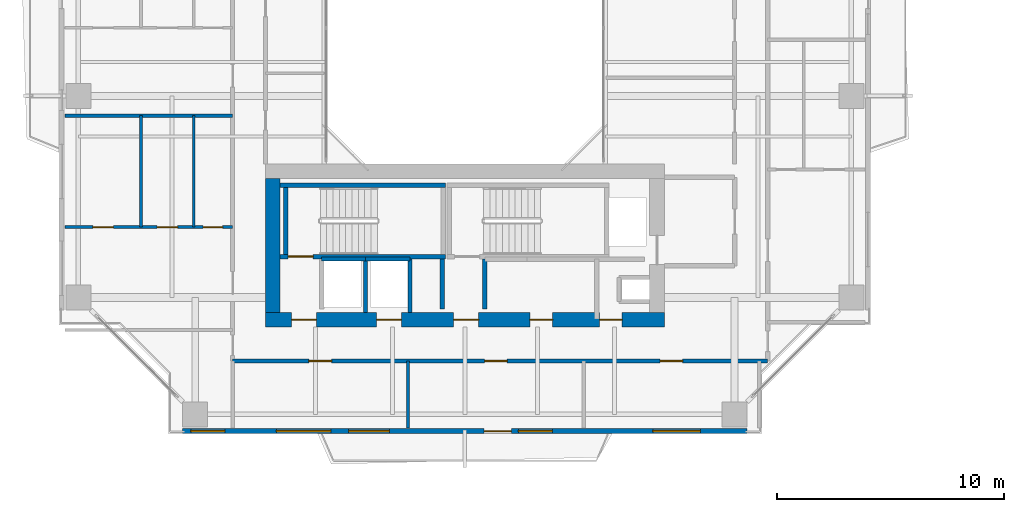
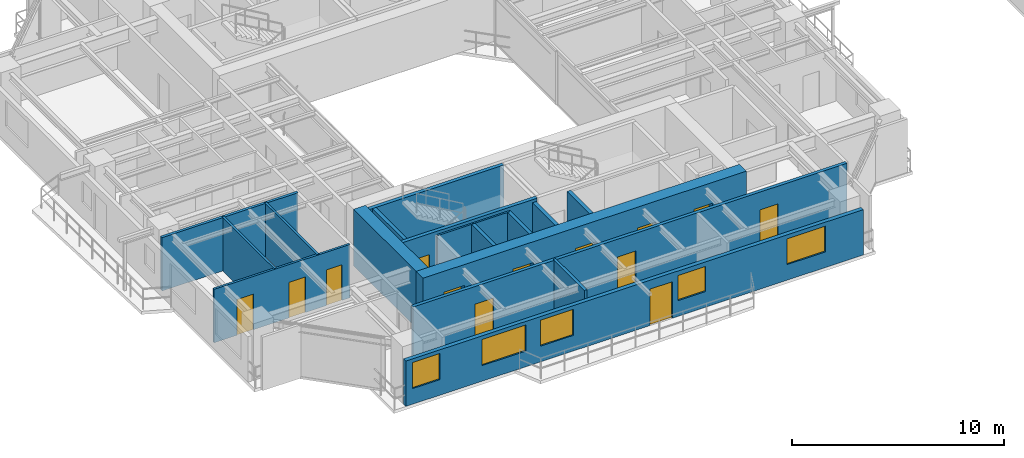
# One storey, part 14 of 24: 18 walls, 13 doors, 5 windows, 18 openings.
"""IFC4 building model written with IfcOpenShell, lengths in metres."""

from ifc_helpers import new_model, si_unit, direction, frame, frame_2d, origin, place, context, subcontext, project, spatial, rectangle, extrude, source, transform, mapped, material, layer, layer_set, type_object, element, fill, save


model = new_model("IFC4")

# Units and contexts
model_context = context("Model", 3, precision=1e-05, world=origin(), true_north=direction((0.0, 1.0)))
body_context = subcontext(model_context, "Body", "Model", "MODEL_VIEW")
ifc_project = project(units=[si_unit("LENGTHUNIT", "METRE"), si_unit("AREAUNIT", "SQUARE_METRE"), si_unit("VOLUMEUNIT", "CUBIC_METRE"), si_unit("PLANEANGLEUNIT", "RADIAN"), si_unit("MASSUNIT", "GRAM", prefix="KILO"), si_unit("THERMODYNAMICTEMPERATUREUNIT", "KELVIN"), si_unit("POWERUNIT", "WATT")], contexts=[model_context])

# Site, building, storey
site_placement = place(None, origin())
site = spatial("IfcSite", under=ifc_project, at=site_placement, CompositionType="ELEMENT")
building_placement = place(site_placement, origin())
building = spatial("IfcBuilding", under=site, at=building_placement, Name="Qiaomeng Ring Towers", CompositionType="ELEMENT")
storey_placement = place(building_placement, frame((0.0, 0.0, 106.75)))
storey = spatial("IfcBuildingStorey", under=building, at=storey_placement, Name="L30", CompositionType="ELEMENT", Elevation=106.75)

# Wall, openings, windows, door
ifc_material_1 = material(Name="Precast concrete C40", Category="concrete")
ifc_layer_1 = layer(ifc_material_1, 0.219970703125, Name="Precast concrete C40")
ifc_layer_set_1 = layer_set([ifc_layer_1], Name="Precast concrete C40")
wall_type_1 = type_object("IfcWallType", Name="ARC-WL-EW2", PredefinedType="STANDARD", material=ifc_layer_set_1)
wall_1_placement = place(storey_placement, frame((6.550048828125, 5.2099609375, 0.0), z_axis=(0.0, 0.0, 1.0), x_axis=(1.0, 0.0, 0.0)))
wall_1 = element("IfcWall", 1, at=wall_1_placement, inside=storey, type_object=wall_type_1, Name="L30 Tower 1 S Exterior Wall", PredefinedType="STANDARD", context=body_context, shape_type="SweptSolid", body=[
    extrude(rectangle(XDim=24.89990234375, YDim=0.219970703125, at=frame_2d((12.449951171875, 0.0))), origin(), (0.0, 0.0, 1.0), 2.610107421875),
])
opening_1_placement = place(wall_1_placement, frame((13.300048828125, 0.0, 0.0)))
opening_1 = element("IfcOpeningElement", 2, at=opening_1_placement, cuts=wall_1, Name="Opening BD1", PredefinedType="OPENING", context=body_context, shape_type="SweptSolid", body=[
    extrude(rectangle(XDim=1.199951171875, YDim=2.10009765625, at=frame_2d((0.60009765625, 1.050048828125))), frame((0.0, 0.119873046875, 0.0), z_axis=(0.0, -1.0, 0.0), x_axis=(1.0, 0.0, 0.0)), (0.0, 0.0, 1.0), 0.239990234375),
])
opening_2_placement = place(wall_1_placement, frame((0.357421875, 0.0, 0.89990234375)))
opening_2 = element("IfcOpeningElement", 3, at=opening_2_placement, cuts=wall_1, Name="Opening WN2", PredefinedType="OPENING", context=body_context, shape_type="SweptSolid", body=[
    extrude(rectangle(XDim=1.5, YDim=1.5, at=frame_2d((0.75, 0.75))), frame((0.0, 0.119873046875, 0.0), z_axis=(0.0, -1.0, 0.0), x_axis=(1.0, 0.0, 0.0)), (0.0, 0.0, 1.0), 0.239990234375),
])
opening_3_placement = place(wall_1_placement, frame((7.32080078125, 0.0, 0.89990234375)))
opening_3 = element("IfcOpeningElement", 4, at=opening_3_placement, cuts=wall_1, Name="Opening WN1", PredefinedType="OPENING", context=body_context, shape_type="SweptSolid", body=[
    extrude(rectangle(XDim=1.800048828125, YDim=1.5, at=frame_2d((0.89990234375, 0.75))), frame((0.0, 0.119873046875, 0.0), z_axis=(0.0, -1.0, 0.0), x_axis=(1.0, 0.0, 0.0)), (0.0, 0.0, 1.0), 0.239990234375),
])
opening_4_placement = place(wall_1_placement, frame((14.81298828125, 0.0, 0.89990234375)))
opening_4 = element("IfcOpeningElement", 5, at=opening_4_placement, cuts=wall_1, Name="Opening WN2", PredefinedType="OPENING", context=body_context, shape_type="SweptSolid", body=[
    extrude(rectangle(XDim=1.5, YDim=1.449951171875, at=frame_2d((0.75, 0.72509765625))), frame((0.0, 0.119873046875, 0.0), z_axis=(0.0, -1.0, 0.0), x_axis=(1.0, 0.0, 0.0)), (0.0, 0.0, 1.0), 0.239990234375),
])
opening_5_placement = place(wall_1_placement, frame((20.738037109375, 0.0, 0.89990234375)))
opening_5 = element("IfcOpeningElement", 6, at=opening_5_placement, cuts=wall_1, Name="Opening WN4", PredefinedType="OPENING", context=body_context, shape_type="SweptSolid", body=[
    extrude(rectangle(XDim=2.10009765625, YDim=1.47998046875, at=frame_2d((1.050048828125, 0.739990234375))), frame((0.0, 0.119873046875, 0.0), z_axis=(0.0, -1.0, 0.0), x_axis=(1.0, 0.0, 0.0)), (0.0, 0.0, 1.0), 0.239990234375),
])
opening_6_placement = place(wall_1_placement, frame((4.136474609375, 0.0, 0.89990234375)))
opening_6 = element("IfcOpeningElement", 7, at=opening_6_placement, cuts=wall_1, Name="Opening WN6", PredefinedType="OPENING", context=body_context, shape_type="SweptSolid", body=[
    extrude(rectangle(XDim=2.39990234375, YDim=1.5, at=frame_2d((1.199951171875, 0.75))), frame((0.0, 0.119873046875, 0.0), z_axis=(0.0, -1.0, 0.0), x_axis=(1.0, 0.0, 0.0)), (0.0, 0.0, 1.0), 0.239990234375),
])
ifc_material_2 = material(Name="Low-E dark-grey laminated double glazing", Category="glass")
window_type_1 = type_object("IfcWindowType", Name="ARC-WN-2", PartitioningType="DOUBLE_PANEL_VERTICAL", PredefinedType="WINDOW", material=ifc_material_2)
shared_shape_1 = source(origin(), body_context, "Body", "SweptSolid", [
    extrude(rectangle(XDim=1.5, YDim=1.449951171875, at=frame_2d((0.75, 0.72509765625))), frame((0.0, 0.030029296875, 0.0), z_axis=(0.0, -1.0, 0.0), x_axis=(1.0, 0.0, 0.0)), (0.0, 0.0, 1.0), 0.06005859375),
])
window_1_placement = place(opening_4_placement, origin())
window_1 = element("IfcWindow", 8, at=window_1_placement, inside=storey, type_object=window_type_1, Name="L30 Exterior Window WN2", OverallHeight=1.449951171875, OverallWidth=1.5, PartitioningType="DOUBLE_PANEL_VERTICAL", PredefinedType="WINDOW", context=body_context, shape_type="MappedRepresentation", body=[
    mapped(shared_shape_1, transform((0.0, 0.0, 0.0), x_axis=(1.0, 0.0, 0.0), y_axis=(0.0, 1.0, 0.0), z_axis=(0.0, 0.0, 1.0), scale=1.0)),
])
fill(opening_4, window_1)
window_type_2 = type_object("IfcWindowType", Name="ARC-WN-4", PartitioningType="TRIPLE_PANEL_VERTICAL", PredefinedType="WINDOW", material=ifc_material_2)
shared_shape_2 = source(origin(), body_context, "Body", "SweptSolid", [
    extrude(rectangle(XDim=2.10009765625, YDim=1.47998046875, at=frame_2d((1.050048828125, 0.739990234375))), frame((0.0, 0.030029296875, 0.0), z_axis=(0.0, -1.0, 0.0), x_axis=(1.0, 0.0, 0.0)), (0.0, 0.0, 1.0), 0.06005859375),
])
window_2_placement = place(opening_5_placement, origin())
window_2 = element("IfcWindow", 9, at=window_2_placement, inside=storey, type_object=window_type_2, Name="L30 Exterior Window WN4", OverallHeight=1.47998046875, OverallWidth=2.10009765625, PartitioningType="TRIPLE_PANEL_VERTICAL", PredefinedType="WINDOW", context=body_context, shape_type="MappedRepresentation", body=[
    mapped(shared_shape_2, transform((0.0, 0.0, 0.0), x_axis=(1.0, 0.0, 0.0), y_axis=(0.0, 1.0, 0.0), z_axis=(0.0, 0.0, 1.0), scale=1.0)),
])
fill(opening_5, window_2)
door_type_1 = type_object("IfcDoorType", Name="ARC-DR-BD1", OperationType="NOTDEFINED", PredefinedType="DOOR", material=ifc_material_2)
shared_shape_3 = source(origin(), body_context, "Body", "SweptSolid", [
    extrude(rectangle(XDim=1.199951171875, YDim=2.10009765625, at=frame_2d((0.60009765625, 1.050048828125))), frame((0.0, 0.02490234375, 0.0), z_axis=(0.0, -1.0, 0.0), x_axis=(1.0, 0.0, 0.0)), (0.0, 0.0, 1.0), 0.050048828125),
])
door_1_placement = place(opening_1_placement, frame((1.199951171875, 0.0, 0.0), z_axis=(0.0, 0.0, 1.0), x_axis=(-1.0, 0.0, 0.0)))
door_1 = element("IfcDoor", 10, at=door_1_placement, inside=storey, type_object=door_type_1, Name="L30 S Balcony Glazed Door", OperationType="SINGLE_SWING_LEFT", OverallHeight=2.10009765625, OverallWidth=1.199951171875, PredefinedType="DOOR", context=body_context, shape_type="MappedRepresentation", body=[
    mapped(shared_shape_3, transform((0.0, 0.0, 0.0), x_axis=(1.0, 0.0, 0.0), y_axis=(0.0, 1.0, 0.0), z_axis=(0.0, 0.0, 1.0), scale=1.0)),
])
fill(opening_1, door_1)
shared_shape_4 = source(origin(), body_context, "Body", "SweptSolid", [
    extrude(rectangle(XDim=1.5, YDim=1.5, at=frame_2d((0.75, 0.75))), frame((0.0, 0.030029296875, 0.0), z_axis=(0.0, -1.0, 0.0), x_axis=(1.0, 0.0, 0.0)), (0.0, 0.0, 1.0), 0.06005859375),
])
window_3_placement = place(opening_2_placement, origin())
window_3 = element("IfcWindow", 11, at=window_3_placement, inside=storey, type_object=window_type_1, Name="L30 Exterior Window WN6", OverallHeight=1.5, OverallWidth=1.5, PartitioningType="TRIPLE_PANEL_VERTICAL", PredefinedType="WINDOW", context=body_context, shape_type="MappedRepresentation", body=[
    mapped(shared_shape_4, transform((0.0, 0.0, 0.0), x_axis=(1.0, 0.0, 0.0), y_axis=(0.0, 1.0, 0.0), z_axis=(0.0, 0.0, 1.0), scale=1.0)),
])
fill(opening_2, window_3)
window_type_3 = type_object("IfcWindowType", Name="ARC-WN-6", PartitioningType="TRIPLE_PANEL_VERTICAL", PredefinedType="WINDOW", material=ifc_material_2)
shared_shape_5 = source(origin(), body_context, "Body", "SweptSolid", [
    extrude(rectangle(XDim=2.39990234375, YDim=1.5, at=frame_2d((1.199951171875, 0.75))), frame((0.0, 0.030029296875, 0.0), z_axis=(0.0, -1.0, 0.0), x_axis=(1.0, 0.0, 0.0)), (0.0, 0.0, 1.0), 0.06005859375),
])
window_4_placement = place(opening_6_placement, origin())
window_4 = element("IfcWindow", 12, at=window_4_placement, inside=storey, type_object=window_type_3, Name="L30 Exterior Window WN6", OverallHeight=1.5, OverallWidth=2.39990234375, PartitioningType="TRIPLE_PANEL_VERTICAL", PredefinedType="WINDOW", context=body_context, shape_type="MappedRepresentation", body=[
    mapped(shared_shape_5, transform((0.0, 0.0, 0.0), x_axis=(1.0, 0.0, 0.0), y_axis=(0.0, 1.0, 0.0), z_axis=(0.0, 0.0, 1.0), scale=1.0)),
])
fill(opening_6, window_4)
window_type_4 = type_object("IfcWindowType", Name="ARC-WN-1", PartitioningType="DOUBLE_PANEL_VERTICAL", PredefinedType="WINDOW", material=ifc_material_2)
shared_shape_6 = source(origin(), body_context, "Body", "SweptSolid", [
    extrude(rectangle(XDim=1.800048828125, YDim=1.5, at=frame_2d((0.89990234375, 0.75))), frame((0.0, 0.030029296875, 0.0), z_axis=(0.0, -1.0, 0.0), x_axis=(1.0, 0.0, 0.0)), (0.0, 0.0, 1.0), 0.06005859375),
])
window_5_placement = place(opening_3_placement, origin())
window_5 = element("IfcWindow", 13, at=window_5_placement, inside=storey, type_object=window_type_4, Name="L30 Exterior Window WN1", OverallHeight=1.5, OverallWidth=1.800048828125, PartitioningType="DOUBLE_PANEL_VERTICAL", PredefinedType="WINDOW", context=body_context, shape_type="MappedRepresentation", body=[
    mapped(shared_shape_6, transform((0.0, 0.0, 0.0), x_axis=(1.0, 0.0, 0.0), y_axis=(0.0, 1.0, 0.0), z_axis=(0.0, 0.0, 1.0), scale=1.0)),
])
fill(opening_3, window_5)

# Walls
ifc_material_3 = material(Name="Autoclaved aerated concrete block", Category="concrete")
ifc_layer_2 = layer(ifc_material_3, 0.199951171875, Name="Autoclaved aerated concrete block")
ifc_layer_set_2 = layer_set([ifc_layer_2], Name="Autoclaved aerated concrete block")
wall_type_2 = type_object("IfcWallType", Name="ARC-WL-PW1", PredefinedType="PARTITIONING", material=ifc_layer_set_2)
for number, where, z_axis, x_axis, name in (
    (14, (18.0, 10.60009765625, 0.0), (0.0, 0.0, 1.0), (0.0, 1.0, 0.0), "L30 Interior Wall PW1"),
    (15, (19.8798828125, 10.60009765625, 0.0), (0.0, 0.0, 1.0), (0.0, 1.0, 0.0), "L30 Interior Wall PW1"),
):
    element("IfcWall", number, at=place(storey_placement, frame(where, z_axis=z_axis, x_axis=x_axis)), inside=storey, type_object=wall_type_2, Name=name, PredefinedType="PARTITIONING", context=body_context, shape_type="SweptSolid", body=[
        extrude(rectangle(XDim=2.2099609375, YDim=0.199951171875, at=frame_2d((1.10498046875, 0.0))), origin(), (0.0, 0.0, 1.0), 3.070068359375),
    ])

# Wall, openings, doors
ifc_layer_3 = layer(ifc_material_3, 0.179931640625, Name="Autoclaved aerated concrete block")
ifc_layer_set_3 = layer_set([ifc_layer_3], Name="Autoclaved aerated concrete block")
wall_type_3 = type_object("IfcWallType", Name="ARC-WL-PW2", PredefinedType="PARTITIONING", material=ifc_layer_set_3)
wall_2_placement = place(storey_placement, frame((8.75, 8.300048828125, 0.0), z_axis=(0.0, 0.0, 1.0), x_axis=(1.0, 0.0, 0.0)))
wall_2 = element("IfcWall", 16, at=wall_2_placement, inside=storey, type_object=wall_type_3, Name="L30 Interior Wall PW2", PredefinedType="PARTITIONING", context=body_context, shape_type="SweptSolid", body=[
    extrude(rectangle(XDim=23.610107421875, YDim=0.179931640625, at=frame_2d((11.80517578125, 0.0))), origin(), (0.0, 0.0, 1.0), 3.070068359375),
])
opening_7_placement = place(wall_2_placement, frame((3.3701171875, 0.0, 0.0)))
opening_7 = element("IfcOpeningElement", 17, at=opening_7_placement, cuts=wall_2, Name="Opening FD4", PredefinedType="OPENING", context=body_context, shape_type="SweptSolid", body=[
    extrude(rectangle(XDim=1.0, YDim=2.050048828125, at=frame_2d((0.5, 1.02490234375))), frame((0.0, 0.099853515625, 0.0), z_axis=(0.0, -1.0, 0.0), x_axis=(1.0, 0.0, 0.0)), (0.0, 0.0, 1.0), 0.199951171875),
])
opening_8_placement = place(wall_2_placement, frame((11.114990234375, 0.0, 0.0)))
opening_8 = element("IfcOpeningElement", 18, at=opening_8_placement, cuts=wall_2, Name="Opening FD4", PredefinedType="OPENING", context=body_context, shape_type="SweptSolid", body=[
    extrude(rectangle(XDim=1.0, YDim=2.050048828125, at=frame_2d((0.5, 1.02490234375))), frame((0.0, 0.099853515625, 0.0), z_axis=(0.0, -1.0, 0.0), x_axis=(1.0, 0.0, 0.0)), (0.0, 0.0, 1.0), 0.199951171875),
])
opening_9_placement = place(wall_2_placement, frame((18.860107421875, 0.0, 0.0)))
opening_9 = element("IfcOpeningElement", 19, at=opening_9_placement, cuts=wall_2, Name="Opening FD4", PredefinedType="OPENING", context=body_context, shape_type="SweptSolid", body=[
    extrude(rectangle(XDim=1.0, YDim=2.050048828125, at=frame_2d((0.5, 1.02490234375))), frame((0.0, 0.099853515625, 0.0), z_axis=(0.0, -1.0, 0.0), x_axis=(1.0, 0.0, 0.0)), (0.0, 0.0, 1.0), 0.199951171875),
])
ifc_material_4 = material(Name="Engineered fire-rated oak timber", Category="wood")
door_type_2 = type_object("IfcDoorType", Name="ARC-DR-FD4", OperationType="NOTDEFINED", PredefinedType="DOOR", material=ifc_material_4)
shared_shape_7 = source(origin(), body_context, "Body", "SweptSolid", [
    extrude(rectangle(XDim=1.0, YDim=2.050048828125, at=frame_2d((0.5, 1.02490234375))), frame((0.0, 0.02490234375, 0.0), z_axis=(0.0, -1.0, 0.0), x_axis=(1.0, 0.0, 0.0)), (0.0, 0.0, 1.0), 0.050048828125),
])
door_2_placement = place(opening_7_placement, origin())
door_2 = element("IfcDoor", 20, at=door_2_placement, inside=storey, type_object=door_type_2, Name="L30 Door FD4", OperationType="SINGLE_SWING_RIGHT", OverallHeight=2.050048828125, OverallWidth=1.0, PredefinedType="DOOR", context=body_context, shape_type="MappedRepresentation", body=[
    mapped(shared_shape_7, transform((0.0, 0.0, 0.0), x_axis=(1.0, 0.0, 0.0), y_axis=(0.0, 1.0, 0.0), z_axis=(0.0, 0.0, 1.0), scale=1.0)),
])
fill(opening_7, door_2)
door_3_placement = place(opening_8_placement, origin())
door_3 = element("IfcDoor", 21, at=door_3_placement, inside=storey, type_object=door_type_2, Name="L30 Door FD4", OperationType="SINGLE_SWING_LEFT", OverallHeight=2.050048828125, OverallWidth=1.0, PredefinedType="DOOR", context=body_context, shape_type="MappedRepresentation", body=[
    mapped(shared_shape_7, transform((0.0, 0.0, 0.0), x_axis=(1.0, 0.0, 0.0), y_axis=(0.0, 1.0, 0.0), z_axis=(0.0, 0.0, 1.0), scale=1.0)),
])
fill(opening_8, door_3)
door_4_placement = place(opening_9_placement, origin())
door_4 = element("IfcDoor", 22, at=door_4_placement, inside=storey, type_object=door_type_2, Name="L30 Door FD4", OperationType="SINGLE_SWING_RIGHT", OverallHeight=2.050048828125, OverallWidth=1.0, PredefinedType="DOOR", context=body_context, shape_type="MappedRepresentation", body=[
    mapped(shared_shape_7, transform((0.0, 0.0, 0.0), x_axis=(1.0, 0.0, 0.0), y_axis=(0.0, 1.0, 0.0), z_axis=(0.0, 0.0, 1.0), scale=1.0)),
])
fill(opening_9, door_4)

# Walls
ifc_material_5 = material(Name="Gypsum fireboard steel-stud partition", Category="steel")
ifc_layer_4 = layer(ifc_material_5, 0.14990234375, Name="Gypsum fireboard steel-stud partition")
ifc_layer_set_4 = layer_set([ifc_layer_4], Name="Gypsum fireboard steel-stud partition")
wall_type_4 = type_object("IfcWallType", Name="ARC-WL-PW3", PredefinedType="PARTITIONING", material=ifc_layer_set_4)
wall_3_placement = place(storey_placement, frame((16.489990234375, 5.35009765625, 0.0), z_axis=(0.0, 0.0, 1.0), x_axis=(0.0, 1.0, 0.0)))
element("IfcWall", 23, at=wall_3_placement, inside=storey, type_object=wall_type_4, Name="L30 Interior Wall PW3", PredefinedType="PARTITIONING", context=body_context, shape_type="SweptSolid", body=[
    extrude(rectangle(XDim=2.949951171875, YDim=0.14990234375, at=frame_2d((1.47509765625, 0.0))), origin(), (0.0, 0.0, 1.0), 3.070068359375),
])
wall_4_placement = place(storey_placement, frame((1.35009765625, 19.1298828125, 0.0), z_axis=(0.0, 0.0, 1.0), x_axis=(1.0, 0.0, 0.0)))
element("IfcWall", 24, at=wall_4_placement, inside=storey, type_object=wall_type_4, Name="L30 Interior Wall PW3", PredefinedType="PARTITIONING", context=body_context, shape_type="SweptSolid", body=[
    extrude(rectangle(XDim=7.39990234375, YDim=0.14990234375, at=frame_2d((3.699951171875, 0.0))), origin(), (0.0, 0.0, 1.0), 3.070068359375),
])

# Wall, openings, doors
ifc_material_6 = material(Name="Moisture-resistant gypsum steel-stud partition", Category="steel")
ifc_layer_5 = layer(ifc_material_6, 0.1201171875, Name="Moisture-resistant gypsum steel-stud partition")
ifc_layer_set_5 = layer_set([ifc_layer_5], Name="Moisture-resistant gypsum steel-stud partition")
wall_type_5 = type_object("IfcWallType", Name="ARC-WL-PW4", PredefinedType="PLUMBINGWALL", material=ifc_layer_set_5)
wall_5_placement = place(storey_placement, frame((1.35009765625, 14.2099609375, 0.0), z_axis=(0.0, 0.0, 1.0), x_axis=(1.0, 0.0, 0.0)))
wall_5 = element("IfcWall", 25, at=wall_5_placement, inside=storey, type_object=wall_type_5, Name="L30 Interior Wall PW4", PredefinedType="PLUMBINGWALL", context=body_context, shape_type="SweptSolid", body=[
    extrude(rectangle(XDim=7.39990234375, YDim=0.1201171875, at=frame_2d((3.699951171875, 0.0))), origin(), (0.0, 0.0, 1.0), 3.070068359375),
])
opening_10_placement = place(wall_5_placement, frame((1.239990234375, 0.0, 0.0)))
opening_10 = element("IfcOpeningElement", 26, at=opening_10_placement, cuts=wall_5, Name="Opening ID1", PredefinedType="OPENING", context=body_context, shape_type="SweptSolid", body=[
    extrude(rectangle(XDim=0.89990234375, YDim=2.050048828125, at=frame_2d((0.449951171875, 1.02490234375))), frame((0.0, 0.070068359375, 0.0), z_axis=(0.0, -1.0, 0.0), x_axis=(1.0, 0.0, 0.0)), (0.0, 0.0, 1.0), 0.14013671875),
])
opening_11_placement = place(wall_5_placement, frame((4.070068359375, 0.0, 0.0)))
opening_11 = element("IfcOpeningElement", 27, at=opening_11_placement, cuts=wall_5, Name="Opening ID1", PredefinedType="OPENING", context=body_context, shape_type="SweptSolid", body=[
    extrude(rectangle(XDim=0.89990234375, YDim=2.050048828125, at=frame_2d((0.449951171875, 1.02490234375))), frame((0.0, 0.070068359375, 0.0), z_axis=(0.0, -1.0, 0.0), x_axis=(1.0, 0.0, 0.0)), (0.0, 0.0, 1.0), 0.14013671875),
])
opening_12_placement = place(wall_5_placement, frame((6.10498046875, 0.0, 0.0)))
opening_12 = element("IfcOpeningElement", 28, at=opening_12_placement, cuts=wall_5, Name="Opening ID2", PredefinedType="OPENING", context=body_context, shape_type="SweptSolid", body=[
    extrude(rectangle(XDim=0.85009765625, YDim=2.050048828125, at=frame_2d((0.425048828125, 1.02490234375))), frame((0.0, 0.070068359375, 0.0), z_axis=(0.0, -1.0, 0.0), x_axis=(1.0, 0.0, 0.0)), (0.0, 0.0, 1.0), 0.14013671875),
])
ifc_material_7 = material(Name="Moisture-resistant engineered timber", Category="wood")
door_type_3 = type_object("IfcDoorType", Name="ARC-DR-ID2", OperationType="NOTDEFINED", PredefinedType="DOOR", material=ifc_material_7)
shared_shape_8 = source(origin(), body_context, "Body", "SweptSolid", [
    extrude(rectangle(XDim=0.85009765625, YDim=2.050048828125, at=frame_2d((0.425048828125, 1.02490234375))), frame((0.0, 0.02490234375, 0.0), z_axis=(0.0, -1.0, 0.0), x_axis=(1.0, 0.0, 0.0)), (0.0, 0.0, 1.0), 0.050048828125),
])
door_5_placement = place(opening_12_placement, origin())
door_5 = element("IfcDoor", 29, at=door_5_placement, inside=storey, type_object=door_type_3, Name="L30 Door ID2", OperationType="SINGLE_SWING_LEFT", OverallHeight=2.050048828125, OverallWidth=0.85009765625, PredefinedType="DOOR", context=body_context, shape_type="MappedRepresentation", body=[
    mapped(shared_shape_8, transform((0.0, 0.0, 0.0), x_axis=(1.0, 0.0, 0.0), y_axis=(0.0, 1.0, 0.0), z_axis=(0.0, 0.0, 1.0), scale=1.0)),
])
fill(opening_12, door_5)
ifc_material_8 = material(Name="Engineered oak timber", Category="wood")
door_type_4 = type_object("IfcDoorType", Name="ARC-DR-ID1", OperationType="NOTDEFINED", PredefinedType="DOOR", material=ifc_material_8)
shared_shape_9 = source(origin(), body_context, "Body", "SweptSolid", [
    extrude(rectangle(XDim=0.89990234375, YDim=2.050048828125, at=frame_2d((0.449951171875, 1.02490234375))), frame((0.0, 0.02490234375, 0.0), z_axis=(0.0, -1.0, 0.0), x_axis=(1.0, 0.0, 0.0)), (0.0, 0.0, 1.0), 0.050048828125),
])
door_6_placement = place(opening_10_placement, origin())
door_6 = element("IfcDoor", 30, at=door_6_placement, inside=storey, type_object=door_type_4, Name="L30 Door ID1", OperationType="SINGLE_SWING_LEFT", OverallHeight=2.050048828125, OverallWidth=0.89990234375, PredefinedType="DOOR", context=body_context, shape_type="MappedRepresentation", body=[
    mapped(shared_shape_9, transform((0.0, 0.0, 0.0), x_axis=(1.0, 0.0, 0.0), y_axis=(0.0, 1.0, 0.0), z_axis=(0.0, 0.0, 1.0), scale=1.0)),
])
fill(opening_10, door_6)
door_7_placement = place(opening_11_placement, origin())
door_7 = element("IfcDoor", 31, at=door_7_placement, inside=storey, type_object=door_type_4, Name="L30 Door ID1", OperationType="SINGLE_SWING_RIGHT", OverallHeight=2.050048828125, OverallWidth=0.89990234375, PredefinedType="DOOR", context=body_context, shape_type="MappedRepresentation", body=[
    mapped(shared_shape_9, transform((0.0, 0.0, 0.0), x_axis=(1.0, 0.0, 0.0), y_axis=(0.0, 1.0, 0.0), z_axis=(0.0, 0.0, 1.0), scale=1.0)),
])
fill(opening_11, door_7)

# Walls
for number, where, z_axis, x_axis, name in (
    (32, (4.7099609375, 14.2099609375, 0.0), (0.0, 0.0, 1.0), (0.0, 1.0, 0.0), "L30 Interior Wall PW4"),
    (33, (7.030029296875, 14.2099609375, 0.0), (0.0, 0.0, 1.0), (0.0, 1.0, 0.0), "L30 Interior Wall PW4"),
):
    element("IfcWall", number, at=place(storey_placement, frame(where, z_axis=z_axis, x_axis=x_axis)), inside=storey, type_object=wall_type_5, Name=name, PredefinedType="PLUMBINGWALL", context=body_context, shape_type="SweptSolid", body=[
        extrude(rectangle(XDim=4.919921875, YDim=0.1201171875, at=frame_2d((2.4599609375, 0.0))), origin(), (0.0, 0.0, 1.0), 3.070068359375),
    ])
ifc_material_9 = material(Name="Concrete C40", Category="concrete")
ifc_layer_6 = layer(ifc_material_9, 0.199951171875, Name="Concrete C40")
ifc_layer_set_6 = layer_set([ifc_layer_6], Name="Concrete C40")
wall_type_6 = type_object("IfcWallType", Name="STR-WL-STSHAFT", PredefinedType="SHEAR", material=ifc_layer_set_6)
wall_6_placement = place(storey_placement, frame((12.679931640625, 12.800048828125, 0.0), z_axis=(0.0, 0.0, 1.0), x_axis=(1.0, 0.0, 0.0)))
element("IfcWall", 34, at=wall_6_placement, inside=storey, type_object=wall_type_6, Name="L30 Lift LP6 Shaft Back Wall", PredefinedType="SHEAR", context=body_context, shape_type="SweptSolid", body=[
    extrude(rectangle(XDim=1.940185546875, YDim=0.179931640625, at=frame_2d((0.97021484375, 0.0))), origin(), (0.0, 0.0, 1.0), 3.070068359375),
])
wall_7_placement = place(storey_placement, frame((14.6201171875, 10.449951171875, 0.0), z_axis=(0.0, 0.0, 1.0), x_axis=(0.0, 1.0, 0.0)))
element("IfcWall", 35, at=wall_7_placement, inside=storey, type_object=wall_type_6, Name="L30 Lift LP6-LP4 Shaft Divider Wall", PredefinedType="SHEAR", context=body_context, shape_type="SweptSolid", body=[
    extrude(rectangle(XDim=2.35009765625, YDim=0.179931640625, at=frame_2d((1.175048828125, 0.0))), origin(), (0.0, 0.0, 1.0), 3.070068359375),
])
wall_8_placement = place(storey_placement, frame((14.6201171875, 12.800048828125, 0.0), z_axis=(0.0, 0.0, 1.0), x_axis=(1.0, 0.0, 0.0)))
element("IfcWall", 36, at=wall_8_placement, inside=storey, type_object=wall_type_6, Name="L30 Lift LP4 Shaft Back Wall", PredefinedType="SHEAR", context=body_context, shape_type="SweptSolid", body=[
    extrude(rectangle(XDim=1.9599609375, YDim=0.179931640625, at=frame_2d((0.97998046875, 0.0))), origin(), (0.0, 0.0, 1.0), 3.070068359375),
])
wall_9_placement = place(storey_placement, frame((16.580078125, 10.449951171875, 0.0), z_axis=(0.0, 0.0, 1.0), x_axis=(0.0, 1.0, 0.0)))
element("IfcWall", 37, at=wall_9_placement, inside=storey, type_object=wall_type_6, Name="L30 Lift LP4 East Shaft Wall", PredefinedType="SHEAR", context=body_context, shape_type="SweptSolid", body=[
    extrude(rectangle(XDim=2.35009765625, YDim=0.179931640625, at=frame_2d((1.175048828125, 0.0))), origin(), (0.0, 0.0, 1.0), 3.070068359375),
])

# Wall, opening, door
wall_10_placement = place(storey_placement, frame((10.85009765625, 12.909912109375, 0.0), z_axis=(0.0, 0.0, 1.0), x_axis=(1.0, 0.0, 0.0)))
wall_10 = element("IfcWall", 38, at=wall_10_placement, inside=storey, type_object=wall_type_6, Name="L30 Stair ST3 South Shaft Shear Wall", PredefinedType="SHEAR", context=body_context, shape_type="SweptSolid", body=[
    extrude(rectangle(XDim=7.2998046875, YDim=0.199951171875, at=frame_2d((3.64990234375, 0.0))), origin(), (0.0, 0.0, 1.0), 3.25),
])
opening_13_placement = place(wall_10_placement, frame((0.35009765625, 0.0, 0.0)))
opening_13 = element("IfcOpeningElement", 39, at=opening_13_placement, cuts=wall_10, Name="Opening FD3", PredefinedType="OPENING", context=body_context, shape_type="SweptSolid", body=[
    extrude(rectangle(XDim=1.10009765625, YDim=2.050048828125, at=frame_2d((0.550048828125, 1.02490234375))), frame((0.0, 0.10986328125, 0.0), z_axis=(0.0, -1.0, 0.0), x_axis=(1.0, 0.0, 0.0)), (0.0, 0.0, 1.0), 0.219970703125),
])
ifc_material_10 = material(Name="Galvanised steel", Category="steel")
door_type_5 = type_object("IfcDoorType", Name="ARC-DR-FD3", OperationType="NOTDEFINED", PredefinedType="DOOR", material=ifc_material_10)
shared_shape_10 = source(origin(), body_context, "Body", "SweptSolid", [
    extrude(rectangle(XDim=1.10009765625, YDim=2.050048828125, at=frame_2d((0.550048828125, 1.02490234375))), frame((0.0, 0.02490234375, 0.0), z_axis=(0.0, -1.0, 0.0), x_axis=(1.0, 0.0, 0.0)), (0.0, 0.0, 1.0), 0.050048828125),
])
door_8_placement = place(opening_13_placement, frame((1.10009765625, 0.0, 0.0), z_axis=(0.0, 0.0, 1.0), x_axis=(-1.0, 0.0, 0.0)))
door_8 = element("IfcDoor", 40, at=door_8_placement, inside=storey, type_object=door_type_5, Name="L30 Stair ST3 Exit Door", OperationType="SINGLE_SWING_RIGHT", OverallHeight=2.050048828125, OverallWidth=1.10009765625, PredefinedType="DOOR", context=body_context, shape_type="MappedRepresentation", body=[
    mapped(shared_shape_10, transform((0.0, 0.0, 0.0), x_axis=(1.0, 0.0, 0.0), y_axis=(0.0, 1.0, 0.0), z_axis=(0.0, 0.0, 1.0), scale=1.0)),
])
fill(opening_13, door_8)

# Walls
wall_11_placement = place(storey_placement, frame((10.85009765625, 16.050048828125, 0.0), z_axis=(0.0, 0.0, 1.0), x_axis=(1.0, 0.0, 0.0)))
element("IfcWall", 41, at=wall_11_placement, inside=storey, type_object=wall_type_6, Name="L30 Stair ST3 North Shaft Shear Wall", PredefinedType="SHEAR", context=body_context, shape_type="SweptSolid", body=[
    extrude(rectangle(XDim=7.2998046875, YDim=0.199951171875, at=frame_2d((3.64990234375, 0.0))), origin(), (0.0, 0.0, 1.0), 3.25),
])
wall_12_placement = place(storey_placement, frame((11.10009765625, 13.010009765625, 0.0), z_axis=(0.0, 0.0, 1.0), x_axis=(0.0, 1.0, 0.0)))
element("IfcWall", 42, at=wall_12_placement, inside=storey, type_object=wall_type_6, Name="L30 Stair ST3 West Shaft Shear Wall", PredefinedType="SHEAR", context=body_context, shape_type="SweptSolid", body=[
    extrude(rectangle(XDim=2.93994140625, YDim=0.199951171875, at=frame_2d((1.469970703125, 0.0))), origin(), (0.0, 0.0, 1.0), 3.25),
])

# Wall, openings, doors
ifc_material_11 = material(Name="Concrete C55", Category="concrete")
ifc_layer_7 = layer(ifc_material_11, 0.64990234375, Name="Concrete C55")
ifc_layer_set_7 = layer_set([ifc_layer_7], Name="Concrete C55")
wall_type_7 = type_object("IfcWallType", Name="STR-WL-SW2A", PredefinedType="SHEAR", material=ifc_layer_set_7)
wall_13_placement = place(storey_placement, frame((10.199951171875, 10.125, 0.0), z_axis=(0.0, 0.0, 1.0), x_axis=(1.0, 0.0, 0.0)))
wall_13 = element("IfcWall", 43, at=wall_13_placement, inside=storey, type_object=wall_type_7, Name="L30 T1SC south core shear wall", PredefinedType="SHEAR", context=body_context, shape_type="SweptSolid", body=[
    extrude(rectangle(XDim=17.60009765625, YDim=0.64990234375, at=frame_2d((8.800048828125, 0.0))), origin(), (0.0, 0.0, 1.0), 3.25),
])
opening_14_placement = place(wall_13_placement, frame((1.14990234375, 0.0, 0.0)))
opening_14 = element("IfcOpeningElement", 44, at=opening_14_placement, cuts=wall_13, Name="Opening FD3", PredefinedType="OPENING", context=body_context, shape_type="SweptSolid", body=[
    extrude(rectangle(XDim=1.10009765625, YDim=2.050048828125, at=frame_2d((0.550048828125, 1.02490234375))), frame((0.0, 0.3349609375, 0.0), z_axis=(0.0, -1.0, 0.0), x_axis=(1.0, 0.0, 0.0)), (0.0, 0.0, 1.0), 0.669921875),
])
opening_15_placement = place(wall_13_placement, frame((8.300048828125, 0.0, 0.0)))
opening_15 = element("IfcOpeningElement", 45, at=opening_15_placement, cuts=wall_13, Name="Opening FD3", PredefinedType="OPENING", context=body_context, shape_type="SweptSolid", body=[
    extrude(rectangle(XDim=1.10009765625, YDim=2.050048828125, at=frame_2d((0.550048828125, 1.02490234375))), frame((0.0, 0.3349609375, 0.0), z_axis=(0.0, -1.0, 0.0), x_axis=(1.0, 0.0, 0.0)), (0.0, 0.0, 1.0), 0.669921875),
])
opening_16_placement = place(wall_13_placement, frame((4.89990234375, 0.0, 0.0)))
opening_16 = element("IfcOpeningElement", 46, at=opening_16_placement, cuts=wall_13, Name="Opening LD1", PredefinedType="OPENING", context=body_context, shape_type="SweptSolid", body=[
    extrude(rectangle(XDim=1.10009765625, YDim=2.050048828125, at=frame_2d((0.550048828125, 1.02490234375))), frame((0.0, 0.3349609375, 0.0), z_axis=(0.0, -1.0, 0.0), x_axis=(1.0, 0.0, 0.0)), (0.0, 0.0, 1.0), 0.669921875),
])
opening_17_placement = place(wall_13_placement, frame((14.739990234375, 0.0, 0.0)))
opening_17 = element("IfcOpeningElement", 47, at=opening_17_placement, cuts=wall_13, Name="Opening FD1", PredefinedType="OPENING", context=body_context, shape_type="SweptSolid", body=[
    extrude(rectangle(XDim=1.0, YDim=2.050048828125, at=frame_2d((0.5, 1.02490234375))), frame((0.0, 0.3349609375, 0.0), z_axis=(0.0, -1.0, 0.0), x_axis=(1.0, 0.0, 0.0)), (0.0, 0.0, 1.0), 0.669921875),
])
opening_18_placement = place(wall_13_placement, frame((11.669921875, 0.0, 0.0)))
opening_18 = element("IfcOpeningElement", 48, at=opening_18_placement, cuts=wall_13, Name="Opening FD1", PredefinedType="OPENING", context=body_context, shape_type="SweptSolid", body=[
    extrude(rectangle(XDim=1.0, YDim=2.050048828125, at=frame_2d((0.5, 1.02490234375))), frame((0.0, 0.3349609375, 0.0), z_axis=(0.0, -1.0, 0.0), x_axis=(1.0, 0.0, 0.0)), (0.0, 0.0, 1.0), 0.669921875),
])
door_9_placement = place(opening_14_placement, origin())
door_9 = element("IfcDoor", 49, at=door_9_placement, inside=storey, type_object=door_type_5, Name="L30 Stair ST3 Lobby Door", OperationType="SINGLE_SWING_LEFT", OverallHeight=2.050048828125, OverallWidth=1.10009765625, PredefinedType="DOOR", context=body_context, shape_type="MappedRepresentation", body=[
    mapped(shared_shape_10, transform((0.0, 0.0, 0.0), x_axis=(1.0, 0.0, 0.0), y_axis=(0.0, 1.0, 0.0), z_axis=(0.0, 0.0, 1.0), scale=1.0)),
])
fill(opening_14, door_9)
door_10_placement = place(opening_15_placement, origin())
door_10 = element("IfcDoor", 50, at=door_10_placement, inside=storey, type_object=door_type_5, Name="L30 Stair ST4 Lobby Door", OperationType="SINGLE_SWING_LEFT", OverallHeight=2.050048828125, OverallWidth=1.10009765625, PredefinedType="DOOR", context=body_context, shape_type="MappedRepresentation", body=[
    mapped(shared_shape_10, transform((0.0, 0.0, 0.0), x_axis=(1.0, 0.0, 0.0), y_axis=(0.0, 1.0, 0.0), z_axis=(0.0, 0.0, 1.0), scale=1.0)),
])
fill(opening_15, door_10)
ifc_material_12 = material(Name="Stainless steel 316", Category="steel")
door_type_6 = type_object("IfcDoorType", Name="ARC-DR-LD1", OperationType="NOTDEFINED", PredefinedType="DOOR", material=ifc_material_12)
door_11_placement = place(opening_16_placement, origin())
door_11 = element("IfcDoor", 51, at=door_11_placement, inside=storey, type_object=door_type_6, Name="L30 Mid-Zone Lift LP4 Landing Door", OperationType="SLIDING_TO_RIGHT", OverallHeight=2.050048828125, OverallWidth=1.10009765625, PredefinedType="DOOR", context=body_context, shape_type="MappedRepresentation", body=[
    mapped(shared_shape_10, transform((0.0, 0.0, 0.0), x_axis=(1.0, 0.0, 0.0), y_axis=(0.0, 1.0, 0.0), z_axis=(0.0, 0.0, 1.0), scale=1.0)),
])
fill(opening_16, door_11)
door_type_7 = type_object("IfcDoorType", Name="ARC-DR-FD1", OperationType="NOTDEFINED", PredefinedType="DOOR", material=ifc_material_10)
door_12_placement = place(opening_17_placement, origin())
door_12 = element("IfcDoor", 52, at=door_12_placement, inside=storey, type_object=door_type_7, Name="L30 South Electrical Riser Door", OperationType="SINGLE_SWING_RIGHT", OverallHeight=2.050048828125, OverallWidth=1.0, PredefinedType="DOOR", context=body_context, shape_type="MappedRepresentation", body=[
    mapped(shared_shape_7, transform((0.0, 0.0, 0.0), x_axis=(1.0, 0.0, 0.0), y_axis=(0.0, 1.0, 0.0), z_axis=(0.0, 0.0, 1.0), scale=1.0)),
])
fill(opening_17, door_12)
door_13_placement = place(opening_18_placement, origin())
door_13 = element("IfcDoor", 53, at=door_13_placement, inside=storey, type_object=door_type_7, Name="L30 South Building Management Office Door", OperationType="SINGLE_SWING_LEFT", OverallHeight=2.050048828125, OverallWidth=1.0, PredefinedType="DOOR", context=body_context, shape_type="MappedRepresentation", body=[
    mapped(shared_shape_7, transform((0.0, 0.0, 0.0), x_axis=(1.0, 0.0, 0.0), y_axis=(0.0, 1.0, 0.0), z_axis=(0.0, 0.0, 1.0), scale=1.0)),
])
fill(opening_18, door_13)

# Wall
wall_14_placement = place(storey_placement, frame((10.52490234375, 10.449951171875, 0.0), z_axis=(0.0, 0.0, 1.0), x_axis=(0.0, 1.0, 0.0)))
element("IfcWall", 54, at=wall_14_placement, inside=storey, type_object=wall_type_7, Name="L30 T1SC west core shear wall", PredefinedType="SHEAR", context=body_context, shape_type="SweptSolid", body=[
    extrude(rectangle(XDim=5.900146484375, YDim=0.64990234375, at=frame_2d((2.9501953125, 0.0))), origin(), (0.0, 0.0, 1.0), 3.25),
])

save(model, "model.ifc")
